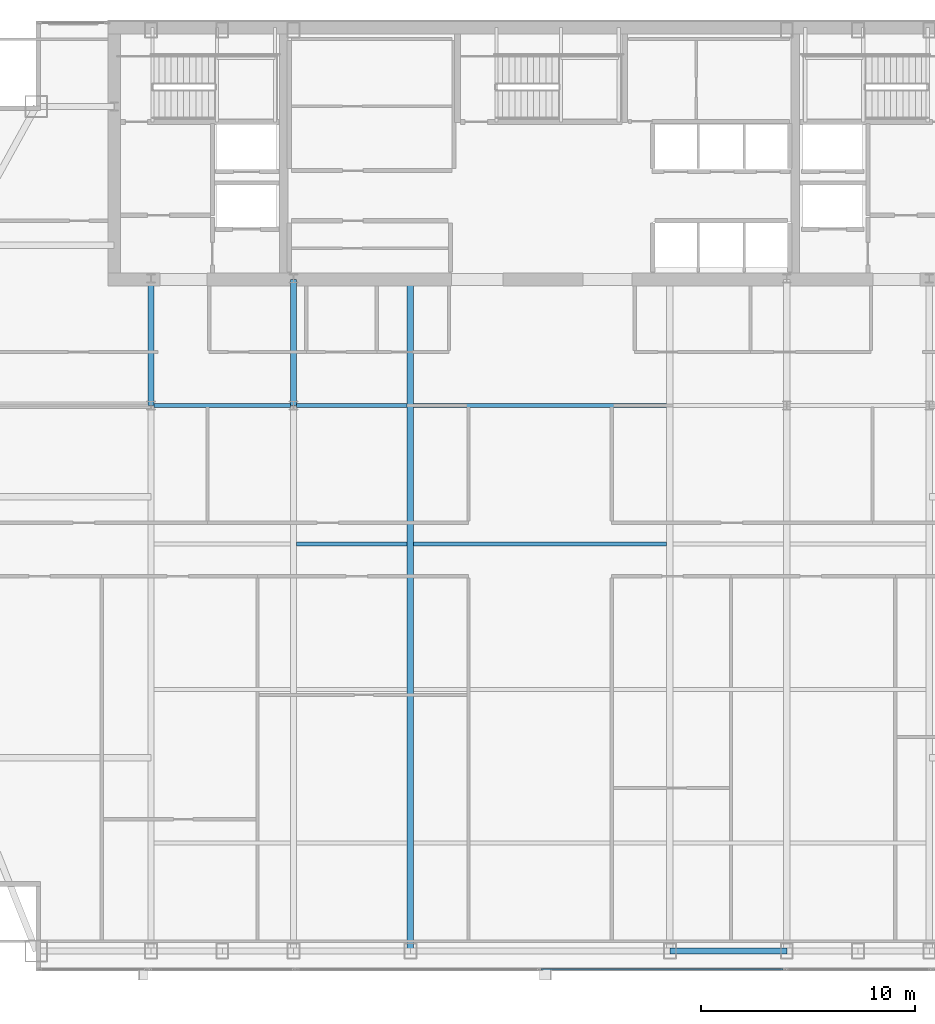
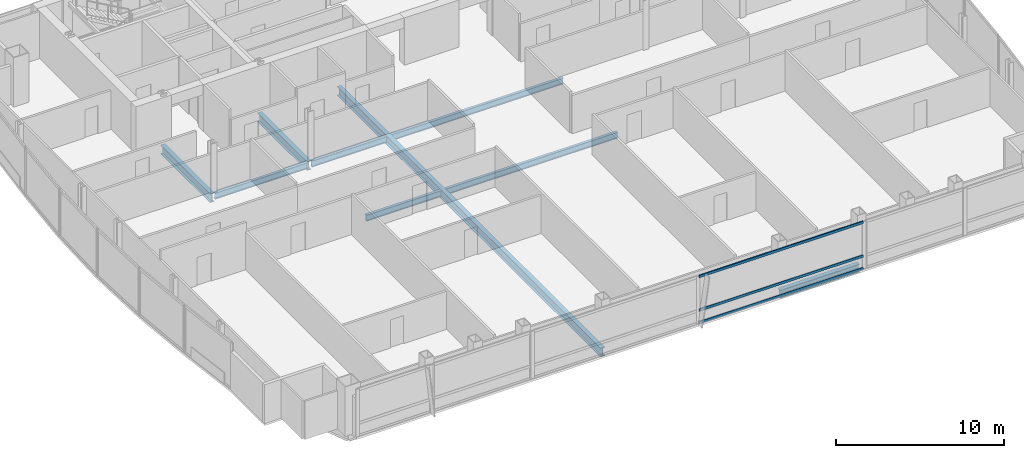
# One storey, part 13 of 29: 9 beams, 3 members, 1 element without a shape of its own.
"""IFC4 building model written with IfcOpenShell, lengths in metres."""

from ifc_helpers import new_model, si_unit, direction, frame, origin, origin_2d, place, context, subcontext, project, spatial, hollow_rectangle, i_section, extrude, material, material_profile, profile_set, type_object, element, aggregate, save


model = new_model("IFC4")

# Units and contexts
model_context = context("Model", 3, precision=1e-05, world=origin(), true_north=direction((0.0, 1.0)))
body_context = subcontext(model_context, "Body", "Model", "MODEL_VIEW")
ifc_project = project(units=[si_unit("LENGTHUNIT", "METRE"), si_unit("AREAUNIT", "SQUARE_METRE"), si_unit("VOLUMEUNIT", "CUBIC_METRE"), si_unit("PLANEANGLEUNIT", "RADIAN"), si_unit("MASSUNIT", "GRAM", prefix="KILO")], contexts=[model_context])

# Site, building, storey
site_placement = place(None, origin())
site = spatial("IfcSite", under=ifc_project, at=site_placement, CompositionType="ELEMENT")
building_placement = place(site_placement, origin())
building = spatial("IfcBuilding", under=site, at=building_placement, Name="Khoronbel Lancet Exchange", CompositionType="ELEMENT")
storey_placement = place(building_placement, frame((0.0, 0.0, 242.60009765625)))
storey = spatial("IfcBuildingStorey", under=building, at=storey_placement, Name="L62", CompositionType="ELEMENT", Elevation=242.60009765625)

# Beams
ifc_material_1 = material(Name="Steel S355", Category="steel")
ifc_material_profile_1 = material_profile(ifc_material_1, i_section(OverallWidth=0.300048828125, OverallDepth=0.64990234375, WebThickness=0.01611328125, FlangeThickness=0.031005859375, at=origin_2d()), Name="HEB 650")
ifc_profile_set_1 = profile_set([ifc_material_profile_1], Name="Steel S355")
beam_type_1 = type_object("IfcBeamType", Name="BM-BG4", PredefinedType="BEAM", material=ifc_profile_set_1)
for number, where, z_axis, x_axis, name in (
    (1, (18.22509765625, 35.699951171875, -0.485107421875), (0.0, 1.0, 0.0), (-1.0, 0.0, 0.0), "Level L62 spine tie girder GN1"),
    (2, (24.89990234375, 35.699951171875, -0.485107421875), (0.0, 1.0, 0.0), (-1.0, 0.0, 0.0), "Level L62 spine tie girder GN2"),
):
    element("IfcBeam", number, at=place(storey_placement, frame(where, z_axis=z_axis, x_axis=x_axis)), inside=storey, type_object=beam_type_1, Name=name, PredefinedType="BEAM", context=body_context, shape_type="SweptSolid", body=[
        extrude(i_section(OverallWidth=0.300048828125, OverallDepth=0.64990234375, WebThickness=0.01611328125, FlangeThickness=0.031005859375, at=origin_2d()), origin(), (0.0, 0.0, 1.0), 5.900146484375),
    ])
beam_1_placement = place(storey_placement, frame((30.375, 10.14990234375, -0.485107421875), z_axis=(0.0, 1.0, 0.0), x_axis=(-1.0, 0.0, 0.0)))
element("IfcBeam", 3, at=beam_1_placement, inside=storey, type_object=beam_type_1, Name="Level L62 primary floor girder G3", PredefinedType="BEAM", context=body_context, shape_type="SweptSolid", body=[
    extrude(i_section(OverallWidth=0.300048828125, OverallDepth=0.64990234375, WebThickness=0.01611328125, FlangeThickness=0.031005859375, at=origin_2d()), origin(), (0.0, 0.0, 1.0), 31.4501953125),
])
ifc_material_profile_2 = material_profile(ifc_material_1, i_section(OverallWidth=0.18994140625, OverallDepth=0.449951171875, WebThickness=0.009521484375, FlangeThickness=0.0146484375, at=origin_2d()), Name="IPE 450")
ifc_profile_set_2 = profile_set([ifc_material_profile_2], Name="Steel S355")
beam_type_2 = type_object("IfcBeamType", Name="BM-BJ4", PredefinedType="JOIST", material=ifc_profile_set_2)
beam_2_placement = place(storey_placement, frame((25.050048828125, 29.199951171875, -0.385009765625), z_axis=(1.0, 0.0, 0.0), x_axis=(0.0, 1.0, 0.0)))
element("IfcBeam", 4, at=beam_2_placement, inside=storey, type_object=beam_type_2, Name="Level L62 secondary composite joist J12", PredefinedType="JOIST", context=body_context, shape_type="SweptSolid", body=[
    extrude(i_section(OverallWidth=0.18994140625, OverallDepth=0.449951171875, WebThickness=0.009521484375, FlangeThickness=0.0146484375, at=origin_2d()), origin(), (0.0, 0.0, 1.0), 5.175048828125),
])
beam_3_placement = place(storey_placement, frame((30.52490234375, 29.199951171875, -0.385009765625), z_axis=(1.0, 0.0, 0.0), x_axis=(0.0, 1.0, 0.0)))
element("IfcBeam", 5, at=beam_3_placement, inside=storey, type_object=beam_type_2, Name="Level L62 secondary composite joist J13", PredefinedType="JOIST", context=body_context, shape_type="SweptSolid", body=[
    extrude(i_section(OverallWidth=0.18994140625, OverallDepth=0.449951171875, WebThickness=0.009521484375, FlangeThickness=0.0146484375, at=origin_2d()), origin(), (0.0, 0.0, 1.0), 11.85009765625),
])
beam_4_placement = place(storey_placement, frame((18.375, 35.699951171875, -0.385009765625), z_axis=(1.0, 0.0, 0.0), x_axis=(0.0, 1.0, 0.0)))
element("IfcBeam", 6, at=beam_4_placement, inside=storey, type_object=beam_type_2, Name="Level L62 secondary composite joist J16", PredefinedType="JOIST", context=body_context, shape_type="SweptSolid", body=[
    extrude(i_section(OverallWidth=0.18994140625, OverallDepth=0.449951171875, WebThickness=0.009521484375, FlangeThickness=0.0146484375, at=origin_2d()), origin(), (0.0, 0.0, 1.0), 6.375),
])
beam_5_placement = place(storey_placement, frame((25.050048828125, 35.699951171875, -0.385009765625), z_axis=(1.0, 0.0, 0.0), x_axis=(0.0, 1.0, 0.0)))
element("IfcBeam", 7, at=beam_5_placement, inside=storey, type_object=beam_type_2, Name="Level L62 secondary composite joist J17", PredefinedType="JOIST", context=body_context, shape_type="SweptSolid", body=[
    extrude(i_section(OverallWidth=0.18994140625, OverallDepth=0.449951171875, WebThickness=0.009521484375, FlangeThickness=0.0146484375, at=origin_2d()), origin(), (0.0, 0.0, 1.0), 5.175048828125),
])
beam_6_placement = place(storey_placement, frame((30.52490234375, 35.699951171875, -0.385009765625), z_axis=(1.0, 0.0, 0.0), x_axis=(0.0, 1.0, 0.0)))
element("IfcBeam", 8, at=beam_6_placement, inside=storey, type_object=beam_type_2, Name="Level L62 secondary composite joist J18", PredefinedType="JOIST", context=body_context, shape_type="SweptSolid", body=[
    extrude(i_section(OverallWidth=0.18994140625, OverallDepth=0.449951171875, WebThickness=0.009521484375, FlangeThickness=0.0146484375, at=origin_2d()), origin(), (0.0, 0.0, 1.0), 11.85009765625),
])
ifc_material_profile_3 = material_profile(ifc_material_1, i_section(OverallWidth=0.300048828125, OverallDepth=0.60009765625, WebThickness=0.015380859375, FlangeThickness=0.030029296875, at=origin_2d()), Name="HEB 600")
ifc_profile_set_3 = profile_set([ifc_material_profile_3], Name="Steel S355")
beam_type_3 = type_object("IfcBeamType", Name="BM-BSP2", PredefinedType="SPANDREL", material=ifc_profile_set_3)
beam_7_placement = place(storey_placement, frame((42.52490234375, 10.14990234375, -0.460205078125), z_axis=(1.0, 0.0, 0.0), x_axis=(0.0, 1.0, 0.0)))
element("IfcBeam", 9, at=beam_7_placement, inside=storey, type_object=beam_type_3, Name="Level L62 perimeter spandrel beam SP06", PredefinedType="SPANDREL", context=body_context, shape_type="SweptSolid", body=[
    extrude(i_section(OverallWidth=0.300048828125, OverallDepth=0.60009765625, WebThickness=0.015380859375, FlangeThickness=0.030029296875, at=origin_2d()), origin(), (0.0, 0.0, 1.0), 5.47509765625),
])

# Curtain wall, members
ifc_material_2 = material(Name="Low-E Solar Control Insulating Glass", Category="glass")
curtain_wall_type = type_object("IfcCurtainWallType", Name="CW-3", PredefinedType="NOTDEFINED", material=ifc_material_2)
curtain_wall_placement = place(storey_placement, origin())
curtain_wall = element("IfcCurtainWall", 10, at=curtain_wall_placement, inside=storey, type_object=curtain_wall_type, Name="Unitised curtain wall CW-L62-SCV", PredefinedType="NOTDEFINED")
ifc_material_3 = material(Name="Bronze-Anodised Aluminium 6063-T6", Category="aluminium")
ifc_material_profile_4 = material_profile(ifc_material_3, hollow_rectangle(XDim=0.0849609375, YDim=0.179931640625, WallThickness=0.0048828125, at=origin_2d()), Name="ALU TRANSOM 85x180")
ifc_profile_set_4 = profile_set([ifc_material_profile_4], Name="Bronze-Anodised Aluminium 6063-T6")
member_type = type_object("IfcMemberType", Name="MEM-CWT1", PredefinedType="USERDEFINED", material=ifc_profile_set_4)
member_1_placement = place(storey_placement, frame((36.492431640625, 9.2900390625, 0.04248046875), z_axis=(1.0, 0.0, 0.0), x_axis=(0.0, 1.0, 0.0)))
member_1 = element("IfcMember", 11, at=member_1_placement, type_object=member_type, Name="CW3 transom 2.1", ObjectType="TRANSOM", PredefinedType="USERDEFINED", context=body_context, shape_type="SweptSolid", body=[
    extrude(hollow_rectangle(XDim=0.0849609375, YDim=0.179931640625, WallThickness=0.0048828125, at=origin_2d()), origin(), (0.0, 0.0, 1.0), 11.322509765625),
])
member_2_placement = place(storey_placement, frame((36.492431640625, 9.2900390625, 0.949951171875), z_axis=(1.0, 0.0, 0.0), x_axis=(0.0, 1.0, 0.0)))
member_2 = element("IfcMember", 12, at=member_2_placement, type_object=member_type, Name="CW3 transom 2.2", ObjectType="TRANSOM", PredefinedType="USERDEFINED", context=body_context, shape_type="SweptSolid", body=[
    extrude(hollow_rectangle(XDim=0.0849609375, YDim=0.179931640625, WallThickness=0.0048828125, at=origin_2d()), origin(), (0.0, 0.0, 1.0), 11.322509765625),
])
member_3_placement = place(storey_placement, frame((36.492431640625, 9.2900390625, 3.3974609375), z_axis=(1.0, 0.0, 0.0), x_axis=(0.0, 1.0, 0.0)))
member_3 = element("IfcMember", 13, at=member_3_placement, type_object=member_type, Name="CW3 transom 2.3", ObjectType="TRANSOM", PredefinedType="USERDEFINED", context=body_context, shape_type="SweptSolid", body=[
    extrude(hollow_rectangle(XDim=0.0849609375, YDim=0.179931640625, WallThickness=0.0048828125, at=origin_2d()), origin(), (0.0, 0.0, 1.0), 11.322509765625),
])
aggregate(curtain_wall, [member_1, member_2, member_3])

save(model, "model.ifc")
